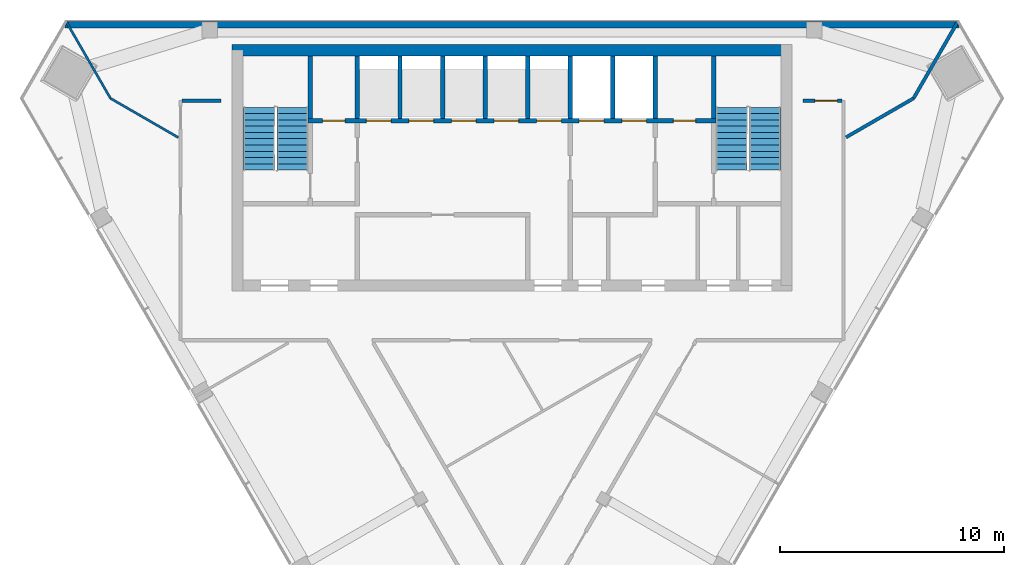
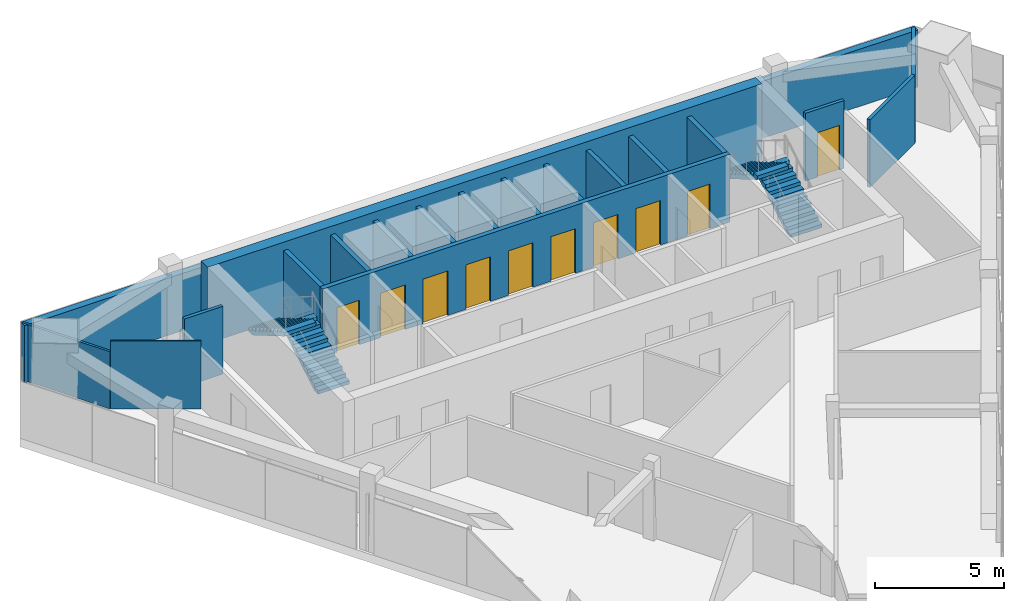
# One storey, part 7 of 9: 19 walls, 10 doors, 4 stair flights, 10 openings, 2 elements without a shape of their own.
"""IFC4 building model written with IfcOpenShell, lengths in metres."""

import ifcopenshell
import ifcopenshell.guid

model = None  # the IFC model being written
_history = None  # IfcOwnerHistory: only IFC2X3 demands one
_inside = {}  # id of a spatial element -> (the spatial element, [elements in it])
_under = {}  # id of a project, library or spatial element -> (it, [spatial elements below it])
_declared = {}  # id of a project -> (the project, [libraries it declares])
_typed = {}  # id of a type object -> (the type object, [elements of that type])
_made_of = {}  # id of a material, layer set ... -> (it, [elements and type objects made of it])


def new_model(schema):
    """Start an empty IFC model of exactly this schema.

    Asked for "IFC4X3", IfcOpenShell would pick the latest addendum, in which some entities
    have other attributes; the version numbers below select the first issue.
    IFC2X3 requires an IfcOwnerHistory on every rooted entity: one is made here for all.
    """
    global model, _history
    if schema == "IFC4X3":
        model = ifcopenshell.file(schema_version=(4, 3, 0, 0))
    else:
        model = ifcopenshell.file(schema=schema)
    _inside.clear()
    _under.clear()
    _declared.clear()
    _typed.clear()
    _made_of.clear()
    _history = None
    if model.schema == "IFC2X3":
        org = make("IfcOrganization", Name="unknown")
        user = make(
            "IfcPersonAndOrganization",
            ThePerson=make("IfcPerson", FamilyName="unknown"),
            TheOrganization=org,
        )
        app = make(
            "IfcApplication",
            ApplicationDeveloper=org,
            Version="unknown",
            ApplicationFullName="unknown",
            ApplicationIdentifier="unknown",
        )
        _history = make(
            "IfcOwnerHistory",
            OwningUser=user,
            OwningApplication=app,
            ChangeAction="ADDED",
            CreationDate=0,
        )
    return model


def make(cls, **values):
    """One entity of the class cls with the attributes given. An attribute that is None is left unset."""
    return model.create_entity(
        cls, **{name: value for name, value in values.items() if value is not None}
    )


def rooted(cls, **values):
    """An entity with a GlobalId (a new one), such as an element, a storey or a relation."""
    return make(cls, GlobalId=ifcopenshell.guid.new(), OwnerHistory=_history, **values)


def si_unit(unit_type, name, prefix=None):
    """IfcSIUnit, for example si_unit("LENGTHUNIT", "METRE", prefix="MILLI")."""
    return make("IfcSIUnit", UnitType=unit_type, Prefix=prefix, Name=name)


def assignment(units):
    """IfcUnitAssignment: the units of a project."""
    return None if units is None else make("IfcUnitAssignment", Units=units)


def point(xyz):
    """IfcCartesianPoint."""
    return None if xyz is None else make("IfcCartesianPoint", Coordinates=xyz)


def direction(xyz):
    """IfcDirection."""
    return None if xyz is None else make("IfcDirection", DirectionRatios=xyz)


def frame(location, z_axis=None, x_axis=None):
    """IfcAxis2Placement3D, a coordinate frame: its origin and axes. An axis left out is left unset."""
    return make(
        "IfcAxis2Placement3D",
        Location=point(location),
        Axis=direction(z_axis),
        RefDirection=direction(x_axis),
    )


def frame_2d(location, x_axis=None):
    """IfcAxis2Placement2D, a coordinate frame in the plane: its origin and x axis."""
    return make(
        "IfcAxis2Placement2D", Location=point(location), RefDirection=direction(x_axis)
    )


def origin():
    """The frame at (0, 0, 0) with its axes left unset."""
    return frame((0.0, 0.0, 0.0))


def place(relative_to, where):
    """IfcLocalPlacement: puts the frame where relative to a parent placement (None: the world)."""
    return make(
        "IfcLocalPlacement", PlacementRelTo=relative_to, RelativePlacement=where
    )


def context(
    kind, dimensions, precision=None, world=None, true_north=None, identifier=None
):
    """IfcGeometricRepresentationContext, for example the 3D "Model" context."""
    return make(
        "IfcGeometricRepresentationContext",
        ContextIdentifier=identifier,
        ContextType=kind,
        CoordinateSpaceDimension=dimensions,
        Precision=precision,
        WorldCoordinateSystem=world,
        TrueNorth=true_north,
    )


def subcontext(parent, identifier, kind, view, scale=None):
    """IfcGeometricRepresentationSubContext, for example "Body" below "Model"."""
    return make(
        "IfcGeometricRepresentationSubContext",
        ContextIdentifier=identifier,
        ContextType=kind,
        ParentContext=parent,
        TargetScale=scale,
        TargetView=view,
    )


def project(units=None, contexts=None):
    """IfcProject with its units and contexts."""
    return rooted(
        "IfcProject",
        Name="project",
        RepresentationContexts=contexts,
        UnitsInContext=assignment(units),
    )


def spatial(cls, under=None, at=None, **own):
    """A site, building, storey or space (cls), placed at a placement, below another one or the project."""
    s = rooted(cls, ObjectPlacement=at, **own)
    if under is not None:
        _under.setdefault(under.id(), (under, []))[1].append(s)
    return s


def polyline(points):
    """IfcPolyline through the points."""
    return make("IfcPolyline", Points=[point(p) for p in points])


def profile(cls, at=None, kind="AREA", **sizes):
    """A parametric profile (cls). Its sizes go by their IFC names, for example OverallWidth=200.0."""
    return make(cls, ProfileType=kind, Position=at, **sizes)


def rectangle(**sizes):
    """IfcRectangleProfileDef."""
    return profile("IfcRectangleProfileDef", **sizes)


def outline(outer, holes=None, kind="AREA"):
    """IfcArbitraryClosedProfileDef: a profile drawn as a closed curve; with holes, ...WithVoids."""
    if holes is None:
        return make("IfcArbitraryClosedProfileDef", ProfileType=kind, OuterCurve=outer)
    return make(
        "IfcArbitraryProfileDefWithVoids",
        ProfileType=kind,
        OuterCurve=outer,
        InnerCurves=holes,
    )


def extrude(swept, where, along, depth):
    """IfcExtrudedAreaSolid: the profile swept, set in the frame where, extruded along a direction by depth."""
    return make(
        "IfcExtrudedAreaSolid",
        SweptArea=swept,
        Position=where,
        ExtrudedDirection=direction(along),
        Depth=depth,
    )


def shape(context_of_items, identifier, shape_type, items):
    """IfcShapeRepresentation: the items that make up one representation, for example the "Body"."""
    return make(
        "IfcShapeRepresentation",
        ContextOfItems=context_of_items,
        RepresentationIdentifier=identifier,
        RepresentationType=shape_type,
        Items=items,
    )


def material(Name=None, Category=None):
    """IfcMaterial."""
    return make("IfcMaterial", Name=Name, Category=Category)


def layer(
    of_material, thickness, ventilated=None, Name=None, Category=None, Priority=None
):
    """IfcMaterialLayer: one layer of a wall or slab, of a material (None: an air gap)."""
    return make(
        "IfcMaterialLayer",
        Material=of_material,
        LayerThickness=thickness,
        IsVentilated=ventilated,
        Name=Name,
        Category=Category,
        Priority=Priority,
    )


def layer_set(layers, Name=None):
    """IfcMaterialLayerSet."""
    return make("IfcMaterialLayerSet", MaterialLayers=layers, LayerSetName=Name)


def made_of(thing, what):
    """Note that an element or type object is made of a material, layer set ...; save() writes the relation."""
    if what is not None:
        _made_of.setdefault(what.id(), (what, []))[1].append(thing)
    return thing


def type_object(cls, material=None, **own):
    """A type object (cls), such as IfcWallType, which elements share."""
    return made_of(rooted(cls, **own), material)


def element(
    cls,
    number,
    at=None,
    inside=None,
    cuts=None,
    type_object=None,
    material=None,
    context=None,
    identifier="Body",
    shape_type=None,
    held_by="IfcProductDefinitionShape",
    body=None,
    shapes=None,
    **own,
):
    """One element of the class cls, such as IfcWall. Its Tag is "e" and its number.

    at: its placement. inside: the storey or other place that contains it. cuts: it is an
    opening in that element (IfcRelVoidsElement). A single representation is given by context,
    identifier, shape_type and body (its items); several are given by shapes. held_by: the class
    of the entity that holds the representations. save() writes the other relations.
    """
    e = rooted(cls, Tag="e%d" % number, ObjectPlacement=at, **own)
    if body is not None:
        shapes = [shape(context, identifier, shape_type, body)]
    if shapes is not None:
        e.Representation = make(held_by, Representations=shapes)
    if inside is not None:
        _inside.setdefault(inside.id(), (inside, []))[1].append(e)
    if cuts is not None:
        rooted(
            "IfcRelVoidsElement", RelatingBuildingElement=cuts, RelatedOpeningElement=e
        )
    if type_object is not None:
        _typed.setdefault(type_object.id(), (type_object, []))[1].append(e)
    return made_of(e, material)


def fill(opening, filler):
    """IfcRelFillsElement: the door or window that sits in an opening."""
    return rooted(
        "IfcRelFillsElement",
        RelatingOpeningElement=opening,
        RelatedBuildingElement=filler,
    )


def aggregate(whole, parts):
    """IfcRelAggregates: a whole, such as a stair, and the parts it consists of."""
    return rooted("IfcRelAggregates", RelatingObject=whole, RelatedObjects=parts)


def save(model, path):
    """Write the relations noted so far, then the file.

    IfcRelAggregates (storeys below a building ...), IfcRelContainedInSpatialStructure (elements
    in a storey), IfcRelDefinesByType, IfcRelAssociatesMaterial and IfcRelDeclares: one each for
    every whole, place, type object, material and project.
    """
    for whole, parts in _under.values():
        aggregate(whole, parts)
    for where, things in _inside.values():
        rooted(
            "IfcRelContainedInSpatialStructure",
            RelatedElements=things,
            RelatingStructure=where,
        )
    for kind, things in _typed.values():
        rooted("IfcRelDefinesByType", RelatedObjects=things, RelatingType=kind)
    for what, things in _made_of.values():
        rooted("IfcRelAssociatesMaterial", RelatedObjects=things, RelatingMaterial=what)
    for by, libraries in _declared.values():
        rooted("IfcRelDeclares", RelatingContext=by, RelatedDefinitions=libraries)
    model.write(path)


model = new_model("IFC4")

# Units and contexts
model_context = context("Model", 3, precision=1e-05, world=origin(), true_north=direction((0.0, 1.0)))
body_context = subcontext(model_context, "Body", "Model", "MODEL_VIEW")
ifc_project = project(units=[si_unit("LENGTHUNIT", "METRE"), si_unit("AREAUNIT", "SQUARE_METRE"), si_unit("VOLUMEUNIT", "CUBIC_METRE"), si_unit("PLANEANGLEUNIT", "RADIAN"), si_unit("MASSUNIT", "GRAM", prefix="KILO")], contexts=[model_context])

# Site, building, storey
site_placement = place(None, origin())
site = spatial("IfcSite", under=ifc_project, at=site_placement, CompositionType="ELEMENT")
building_placement = place(site_placement, origin())
building = spatial("IfcBuilding", under=site, at=building_placement, Name="Altiplano Prism Tower", CompositionType="ELEMENT")
storey_placement = place(building_placement, frame((0.0, 0.0, 305.800048828125)))
storey = spatial("IfcBuildingStorey", under=building, at=storey_placement, Name="L79", CompositionType="ELEMENT", Elevation=305.800048828125)

# Walls
ifc_material_1 = material(Name="Concrete C60/75", Category="concrete")
ifc_layer_1 = layer(ifc_material_1, 0.5)
ifc_layer_set_1 = layer_set([ifc_layer_1], Name="Concrete C60/75")
wall_type_1 = type_object("IfcWallType", Name="Core wall 500", PredefinedType="SHEAR", material=ifc_layer_set_1)
wall_1_placement = place(storey_placement, frame((97.25, 103.64990234375, 0.0), z_axis=(0.0, 0.0, 1.0), x_axis=(-1.0, 0.0, 0.0)))
element("IfcWall", 1, at=wall_1_placement, inside=storey, type_object=wall_type_1, Name="Core wall N L79", PredefinedType="SHEAR", context=body_context, shape_type="SweptSolid", body=[
    extrude(rectangle(XDim=24.75, YDim=0.5, at=frame_2d((12.375, 0.0))), origin(), (0.0, 0.0, 1.0), 3.599853515625),
])
ifc_material_2 = material(Name="Plasterboard on steel stud", Category="steel")
ifc_layer_2 = layer(ifc_material_2, 0.10009765625)
ifc_layer_set_2 = layer_set([ifc_layer_2], Name="Plasterboard on steel stud")
wall_type_2 = type_object("IfcWallType", Name="Partition 100 wet", PredefinedType="PARTITIONING", material=ifc_layer_set_2)
wall_2_placement = place(storey_placement, frame((70.10009765625, 99.755615234375, 0.0), z_axis=(0.0, 0.0, 1.0), x_axis=(-0.866036597273, 0.499980611808, 0.0)))
element("IfcWall", 2, at=wall_2_placement, inside=storey, type_object=wall_type_2, Name="Partition P03 L79 015", PredefinedType="PARTITIONING", context=body_context, shape_type="SweptSolid", body=[
    extrude(rectangle(XDim=3.492919921875, YDim=0.10009765625, at=frame_2d((1.74658203125, 0.0))), origin(), (0.0, 0.0, 1.0), 3.199951171875),
])
wall_3_placement = place(storey_placement, frame((67.0751953125, 101.501953125, 0.0), z_axis=(0.0, 0.0, 1.0), x_axis=(-0.500020484464, 0.866013576751, 0.0)))
element("IfcWall", 3, at=wall_3_placement, inside=storey, type_object=wall_type_2, Name="Partition P03 L79 016", PredefinedType="PARTITIONING", context=body_context, shape_type="SweptSolid", body=[
    extrude(rectangle(XDim=3.923583984375, YDim=0.10009765625, at=frame_2d((1.9619140625, 0.0))), origin(), (0.0, 0.0, 1.0), 2.699951171875),
])

# Wall, opening, door
ifc_layer_3 = layer(ifc_material_2, 0.14990234375)
ifc_layer_set_3 = layer_set([ifc_layer_3], Name="Plasterboard on steel stud")
wall_type_3 = type_object("IfcWallType", Name="Partition 150 corridor", PredefinedType="PARTITIONING", material=ifc_layer_set_3)
wall_4_placement = place(storey_placement, frame((99.72509765625, 101.39990234375, 0.0), z_axis=(0.0, 0.0, 1.0), x_axis=(-1.0, 0.0, 0.0)))
wall_4 = element("IfcWall", 4, at=wall_4_placement, inside=storey, type_object=wall_type_3, Name="Partition P06 L79 010", PredefinedType="PARTITIONING", context=body_context, shape_type="SweptSolid", body=[
    extrude(rectangle(XDim=1.72509765625, YDim=0.14990234375, at=frame_2d((0.862548828125, 0.0))), origin(), (0.0, 0.0, 1.0), 3.199951171875),
])
opening_1_placement = place(wall_4_placement, frame((0.199951171875, 0.0, 0.0)))
opening_1 = element("IfcOpeningElement", 5, at=opening_1_placement, cuts=wall_4, Name="Opening D2378", PredefinedType="OPENING", context=body_context, shape_type="SweptSolid", body=[
    extrude(rectangle(XDim=1.0, YDim=2.10009765625, at=frame_2d((0.5, 1.050048828125))), frame((0.0, 0.08544921875, 0.0), z_axis=(0.0, -1.0, 0.0), x_axis=(1.0, 0.0, 0.0)), (0.0, 0.0, 1.0), 0.1708984375),
])
ifc_material_3 = material(Name="Timber", Category="wood")
door_type_1 = type_object("IfcDoorType", Name="Store door 1000 x 2100", OperationType="NOTDEFINED", PredefinedType="NOTDEFINED", material=ifc_material_3)
door_1_placement = place(opening_1_placement, origin())
door_1 = element("IfcDoor", 6, at=door_1_placement, inside=storey, type_object=door_type_1, Name="Door D2378", OperationType="SINGLE_SWING_LEFT", OverallHeight=2.10009765625, OverallWidth=1.0, PredefinedType="NOTDEFINED", context=body_context, shape_type="SweptSolid", body=[
    extrude(rectangle(XDim=1.0, YDim=2.10009765625, at=frame_2d((0.5, 1.050048828125))), frame((0.0, 0.02490234375, 0.0), z_axis=(0.0, -1.0, 0.0), x_axis=(1.0, 0.0, 0.0)), (0.0, 0.0, 1.0), 0.050048828125),
])
fill(opening_1, door_1)

# Walls
wall_5_placement = place(storey_placement, frame((72.0, 101.39990234375, 0.0), z_axis=(0.0, 0.0, 1.0), x_axis=(-1.0, 0.0, 0.0)))
element("IfcWall", 7, at=wall_5_placement, inside=storey, type_object=wall_type_3, Name="Partition P06 L79 011", PredefinedType="PARTITIONING", context=body_context, shape_type="SweptSolid", body=[
    extrude(rectangle(XDim=1.72509765625, YDim=0.14990234375, at=frame_2d((0.862548828125, 0.0))), origin(), (0.0, 0.0, 1.0), 3.199951171875),
])
ifc_layer_4 = layer(ifc_material_2, 0.14990234375)
ifc_layer_set_4 = layer_set([ifc_layer_4], Name="Plasterboard on steel stud")
wall_type_4 = type_object("IfcWallType", Name="Partition 150 party", PredefinedType="PARTITIONING", material=ifc_layer_set_4)
wall_6_placement = place(storey_placement, frame((104.88671875, 104.89990234375, 0.0), z_axis=(0.0, 0.0, 1.0), x_axis=(-0.500020484464, -0.866013576751, 0.0)))
element("IfcWall", 8, at=wall_6_placement, inside=storey, type_object=wall_type_4, Name="Partition P01 L79 021", PredefinedType="PARTITIONING", context=body_context, shape_type="SweptSolid", body=[
    extrude(rectangle(XDim=3.923583984375, YDim=0.14990234375, at=frame_2d((1.9619140625, 0.0))), origin(), (0.0, 0.0, 1.0), 2.699951171875),
])
wall_7_placement = place(storey_placement, frame((102.9248046875, 101.501953125, 0.0), z_axis=(0.0, 0.0, 1.0), x_axis=(-0.86600557522, -0.500034342508, 0.0)))
element("IfcWall", 9, at=wall_7_placement, inside=storey, type_object=wall_type_4, Name="Partition P01 L79 022", PredefinedType="PARTITIONING", context=body_context, shape_type="SweptSolid", body=[
    extrude(rectangle(XDim=3.478271484375, YDim=0.14990234375, at=frame_2d((1.7392578125, 0.0))), origin(), (0.0, 0.0, 1.0), 3.199951171875),
])
ifc_layer_5 = layer(ifc_material_1, 0.199951171875)
ifc_layer_set_5 = layer_set([ifc_layer_5], Name="Concrete C60/75")
wall_type_5 = type_object("IfcWallType", Name="Shaft wall 200", PredefinedType="SOLIDWALL", material=ifc_layer_set_5)
for number, where, z_axis, x_axis, name in (
    (10, (78.10009765625, 100.60009765625, 0.0), (0.0, 0.0, 1.0), (0.0, 1.0, 0.0), "Shaft wall L79"),
    (11, (80.0, 100.60009765625, 0.0), (0.0, 0.0, 1.0), (0.0, 1.0, 0.0), "Shaft wall L79"),
    (12, (81.89990234375, 100.60009765625, 0.0), (0.0, 0.0, 1.0), (0.0, 1.0, 0.0), "Shaft wall L79"),
    (13, (83.800048828125, 100.60009765625, 0.0), (0.0, 0.0, 1.0), (0.0, 1.0, 0.0), "Shaft wall L79"),
    (14, (85.699951171875, 100.60009765625, 0.0), (0.0, 0.0, 1.0), (0.0, 1.0, 0.0), "Shaft wall L79"),
    (15, (87.60009765625, 100.60009765625, 0.0), (0.0, 0.0, 1.0), (0.0, 1.0, 0.0), "Shaft wall L79"),
    (16, (89.5, 100.60009765625, 0.0), (0.0, 0.0, 1.0), (0.0, 1.0, 0.0), "Shaft wall L79"),
    (17, (91.39990234375, 100.60009765625, 0.0), (0.0, 0.0, 1.0), (0.0, 1.0, 0.0), "Shaft wall L79"),
):
    element("IfcWall", number, at=place(storey_placement, frame(where, z_axis=z_axis, x_axis=x_axis)), inside=storey, type_object=wall_type_5, Name=name, PredefinedType="SOLIDWALL", context=body_context, shape_type="SweptSolid", body=[
        extrude(rectangle(XDim=2.7998046875, YDim=0.199951171875, at=frame_2d((1.39990234375, 0.0))), origin(), (0.0, 0.0, 1.0), 3.199951171875),
    ])

# Wall, openings, doors
ifc_layer_6 = layer(ifc_material_1, 0.199951171875)
ifc_layer_set_6 = layer_set([ifc_layer_6], Name="Concrete C60/75")
wall_type_6 = type_object("IfcWallType", Name="Stair wall 200", PredefinedType="SOLIDWALL", material=ifc_layer_set_6)
wall_8_placement = place(storey_placement, frame((75.89990234375, 100.5, 0.0), z_axis=(0.0, 0.0, 1.0), x_axis=(1.0, 0.0, 0.0)))
wall_8 = element("IfcWall", 18, at=wall_8_placement, inside=storey, type_object=wall_type_6, Name="Stair wall L79", PredefinedType="SOLIDWALL", context=body_context, shape_type="SweptSolid", body=[
    extrude(rectangle(XDim=18.2001953125, YDim=0.199951171875, at=frame_2d((9.10009765625, 0.0))), origin(), (0.0, 0.0, 1.0), 3.199951171875),
])
opening_2_placement = place(wall_8_placement, frame((2.60009765625, 0.0, 0.0)))
opening_2 = element("IfcOpeningElement", 19, at=opening_2_placement, cuts=wall_8, Name="Opening LD-HL1-L79", PredefinedType="OPENING", context=body_context, shape_type="SweptSolid", body=[
    extrude(rectangle(XDim=1.10009765625, YDim=2.10009765625, at=frame_2d((0.550048828125, 1.050048828125))), frame((0.0, 0.1103515625, 0.0), z_axis=(0.0, -1.0, 0.0), x_axis=(1.0, 0.0, 0.0)), (0.0, 0.0, 1.0), 0.220947265625),
])
opening_3_placement = place(wall_8_placement, frame((4.5, 0.0, 0.0)))
opening_3 = element("IfcOpeningElement", 20, at=opening_3_placement, cuts=wall_8, Name="Opening LD-HL2-L79", PredefinedType="OPENING", context=body_context, shape_type="SweptSolid", body=[
    extrude(rectangle(XDim=1.10009765625, YDim=2.10009765625, at=frame_2d((0.550048828125, 1.050048828125))), frame((0.0, 0.1103515625, 0.0), z_axis=(0.0, -1.0, 0.0), x_axis=(1.0, 0.0, 0.0)), (0.0, 0.0, 1.0), 0.220947265625),
])
opening_4_placement = place(wall_8_placement, frame((6.39990234375, 0.0, 0.0)))
opening_4 = element("IfcOpeningElement", 21, at=opening_4_placement, cuts=wall_8, Name="Opening LD-HL3-L79", PredefinedType="OPENING", context=body_context, shape_type="SweptSolid", body=[
    extrude(rectangle(XDim=1.10009765625, YDim=2.10009765625, at=frame_2d((0.550048828125, 1.050048828125))), frame((0.0, 0.1103515625, 0.0), z_axis=(0.0, -1.0, 0.0), x_axis=(1.0, 0.0, 0.0)), (0.0, 0.0, 1.0), 0.220947265625),
])
opening_5_placement = place(wall_8_placement, frame((8.300048828125, 0.0, 0.0)))
opening_5 = element("IfcOpeningElement", 22, at=opening_5_placement, cuts=wall_8, Name="Opening LD-HL4-L79", PredefinedType="OPENING", context=body_context, shape_type="SweptSolid", body=[
    extrude(rectangle(XDim=1.10009765625, YDim=2.10009765625, at=frame_2d((0.550048828125, 1.050048828125))), frame((0.0, 0.1103515625, 0.0), z_axis=(0.0, -1.0, 0.0), x_axis=(1.0, 0.0, 0.0)), (0.0, 0.0, 1.0), 0.220947265625),
])
opening_6_placement = place(wall_8_placement, frame((10.199951171875, 0.0, 0.0)))
opening_6 = element("IfcOpeningElement", 23, at=opening_6_placement, cuts=wall_8, Name="Opening LD-HL5-L79", PredefinedType="OPENING", context=body_context, shape_type="SweptSolid", body=[
    extrude(rectangle(XDim=1.10009765625, YDim=2.10009765625, at=frame_2d((0.550048828125, 1.050048828125))), frame((0.0, 0.1103515625, 0.0), z_axis=(0.0, -1.0, 0.0), x_axis=(1.0, 0.0, 0.0)), (0.0, 0.0, 1.0), 0.220947265625),
])
opening_7_placement = place(wall_8_placement, frame((12.10009765625, 0.0, 0.0)))
opening_7 = element("IfcOpeningElement", 24, at=opening_7_placement, cuts=wall_8, Name="Opening LD-FF1-L79", PredefinedType="OPENING", context=body_context, shape_type="SweptSolid", body=[
    extrude(rectangle(XDim=1.10009765625, YDim=2.10009765625, at=frame_2d((0.550048828125, 1.050048828125))), frame((0.0, 0.1103515625, 0.0), z_axis=(0.0, -1.0, 0.0), x_axis=(1.0, 0.0, 0.0)), (0.0, 0.0, 1.0), 0.220947265625),
])
opening_8_placement = place(wall_8_placement, frame((14.0, 0.0, 0.0)))
opening_8 = element("IfcOpeningElement", 25, at=opening_8_placement, cuts=wall_8, Name="Opening LD-FF2-L79", PredefinedType="OPENING", context=body_context, shape_type="SweptSolid", body=[
    extrude(rectangle(XDim=1.10009765625, YDim=2.10009765625, at=frame_2d((0.550048828125, 1.050048828125))), frame((0.0, 0.1103515625, 0.0), z_axis=(0.0, -1.0, 0.0), x_axis=(1.0, 0.0, 0.0)), (0.0, 0.0, 1.0), 0.220947265625),
])
opening_9_placement = place(wall_8_placement, frame((0.64990234375, 0.0, 0.0)))
opening_9 = element("IfcOpeningElement", 26, at=opening_9_placement, cuts=wall_8, Name="Opening D3701", PredefinedType="OPENING", context=body_context, shape_type="SweptSolid", body=[
    extrude(rectangle(XDim=1.0, YDim=2.10009765625, at=frame_2d((0.5, 1.050048828125))), frame((0.0, 0.1103515625, 0.0), z_axis=(0.0, -1.0, 0.0), x_axis=(1.0, 0.0, 0.0)), (0.0, 0.0, 1.0), 0.220947265625),
])
opening_10_placement = place(wall_8_placement, frame((16.300048828125, 0.0, 0.0)))
opening_10 = element("IfcOpeningElement", 27, at=opening_10_placement, cuts=wall_8, Name="Opening D3702", PredefinedType="OPENING", context=body_context, shape_type="SweptSolid", body=[
    extrude(rectangle(XDim=1.0, YDim=2.10009765625, at=frame_2d((0.5, 1.050048828125))), frame((0.0, 0.1103515625, 0.0), z_axis=(0.0, -1.0, 0.0), x_axis=(1.0, 0.0, 0.0)), (0.0, 0.0, 1.0), 0.220947265625),
])
ifc_material_4 = material(Name="Fire-rated steel door", Category="steel")
door_type_2 = type_object("IfcDoorType", Name="Core room door 1000 x 2100", OperationType="NOTDEFINED", PredefinedType="NOTDEFINED", material=ifc_material_4)
door_2_placement = place(opening_9_placement, origin())
door_2 = element("IfcDoor", 28, at=door_2_placement, inside=storey, type_object=door_type_2, Name="Core room door D3701", OperationType="SINGLE_SWING_LEFT", OverallHeight=2.10009765625, OverallWidth=1.0, PredefinedType="NOTDEFINED", context=body_context, shape_type="SweptSolid", body=[
    extrude(rectangle(XDim=1.0, YDim=2.10009765625, at=frame_2d((0.5, 1.050048828125))), frame((0.0, 0.02490234375, 0.0), z_axis=(0.0, -1.0, 0.0), x_axis=(1.0, 0.0, 0.0)), (0.0, 0.0, 1.0), 0.050048828125),
])
fill(opening_9, door_2)
door_3_placement = place(opening_10_placement, origin())
door_3 = element("IfcDoor", 29, at=door_3_placement, inside=storey, type_object=door_type_2, Name="Core room door D3702", OperationType="SINGLE_SWING_RIGHT", OverallHeight=2.10009765625, OverallWidth=1.0, PredefinedType="NOTDEFINED", context=body_context, shape_type="SweptSolid", body=[
    extrude(rectangle(XDim=1.0, YDim=2.10009765625, at=frame_2d((0.5, 1.050048828125))), frame((0.0, 0.02490234375, 0.0), z_axis=(0.0, -1.0, 0.0), x_axis=(1.0, 0.0, 0.0)), (0.0, 0.0, 1.0), 0.050048828125),
])
fill(opening_10, door_3)
ifc_material_5 = material(Name="Stainless steel landing door", Category="steel")
door_type_3 = type_object("IfcDoorType", Name="Landing door 1100 x 2100", OperationType="NOTDEFINED", PredefinedType="NOTDEFINED", material=ifc_material_5)
door_4_placement = place(opening_2_placement, origin())
door_4 = element("IfcDoor", 30, at=door_4_placement, inside=storey, type_object=door_type_3, Name="Landing doors HL1", OperationType="SLIDING_TO_RIGHT", OverallHeight=2.10009765625, OverallWidth=1.10009765625, PredefinedType="NOTDEFINED", context=body_context, shape_type="SweptSolid", body=[
    extrude(rectangle(XDim=1.10009765625, YDim=2.10009765625, at=frame_2d((0.550048828125, 1.050048828125))), frame((0.0, 0.02490234375, 0.0), z_axis=(0.0, -1.0, 0.0), x_axis=(1.0, 0.0, 0.0)), (0.0, 0.0, 1.0), 0.050048828125),
])
fill(opening_2, door_4)
door_5_placement = place(opening_3_placement, origin())
door_5 = element("IfcDoor", 31, at=door_5_placement, inside=storey, type_object=door_type_3, Name="Landing doors HL2", OperationType="SLIDING_TO_LEFT", OverallHeight=2.10009765625, OverallWidth=1.10009765625, PredefinedType="NOTDEFINED", context=body_context, shape_type="SweptSolid", body=[
    extrude(rectangle(XDim=1.10009765625, YDim=2.10009765625, at=frame_2d((0.550048828125, 1.050048828125))), frame((0.0, 0.02490234375, 0.0), z_axis=(0.0, -1.0, 0.0), x_axis=(1.0, 0.0, 0.0)), (0.0, 0.0, 1.0), 0.050048828125),
])
fill(opening_3, door_5)
door_6_placement = place(opening_4_placement, origin())
door_6 = element("IfcDoor", 32, at=door_6_placement, inside=storey, type_object=door_type_3, Name="Landing doors HL3", OperationType="SLIDING_TO_RIGHT", OverallHeight=2.10009765625, OverallWidth=1.10009765625, PredefinedType="NOTDEFINED", context=body_context, shape_type="SweptSolid", body=[
    extrude(rectangle(XDim=1.10009765625, YDim=2.10009765625, at=frame_2d((0.550048828125, 1.050048828125))), frame((0.0, 0.02490234375, 0.0), z_axis=(0.0, -1.0, 0.0), x_axis=(1.0, 0.0, 0.0)), (0.0, 0.0, 1.0), 0.050048828125),
])
fill(opening_4, door_6)
door_7_placement = place(opening_5_placement, origin())
door_7 = element("IfcDoor", 33, at=door_7_placement, inside=storey, type_object=door_type_3, Name="Landing doors HL4", OperationType="SLIDING_TO_LEFT", OverallHeight=2.10009765625, OverallWidth=1.10009765625, PredefinedType="NOTDEFINED", context=body_context, shape_type="SweptSolid", body=[
    extrude(rectangle(XDim=1.10009765625, YDim=2.10009765625, at=frame_2d((0.550048828125, 1.050048828125))), frame((0.0, 0.02490234375, 0.0), z_axis=(0.0, -1.0, 0.0), x_axis=(1.0, 0.0, 0.0)), (0.0, 0.0, 1.0), 0.050048828125),
])
fill(opening_5, door_7)
door_8_placement = place(opening_6_placement, origin())
door_8 = element("IfcDoor", 34, at=door_8_placement, inside=storey, type_object=door_type_3, Name="Landing doors HL5", OperationType="SLIDING_TO_RIGHT", OverallHeight=2.10009765625, OverallWidth=1.10009765625, PredefinedType="NOTDEFINED", context=body_context, shape_type="SweptSolid", body=[
    extrude(rectangle(XDim=1.10009765625, YDim=2.10009765625, at=frame_2d((0.550048828125, 1.050048828125))), frame((0.0, 0.02490234375, 0.0), z_axis=(0.0, -1.0, 0.0), x_axis=(1.0, 0.0, 0.0)), (0.0, 0.0, 1.0), 0.050048828125),
])
fill(opening_6, door_8)
door_9_placement = place(opening_7_placement, origin())
door_9 = element("IfcDoor", 35, at=door_9_placement, inside=storey, type_object=door_type_3, Name="Landing doors FF1", OperationType="SLIDING_TO_RIGHT", OverallHeight=2.10009765625, OverallWidth=1.10009765625, PredefinedType="NOTDEFINED", context=body_context, shape_type="SweptSolid", body=[
    extrude(rectangle(XDim=1.10009765625, YDim=2.10009765625, at=frame_2d((0.550048828125, 1.050048828125))), frame((0.0, 0.02490234375, 0.0), z_axis=(0.0, -1.0, 0.0), x_axis=(1.0, 0.0, 0.0)), (0.0, 0.0, 1.0), 0.050048828125),
])
fill(opening_7, door_9)
door_10_placement = place(opening_8_placement, origin())
door_10 = element("IfcDoor", 36, at=door_10_placement, inside=storey, type_object=door_type_3, Name="Landing doors FF2", OperationType="SLIDING_TO_LEFT", OverallHeight=2.10009765625, OverallWidth=1.10009765625, PredefinedType="NOTDEFINED", context=body_context, shape_type="SweptSolid", body=[
    extrude(rectangle(XDim=1.10009765625, YDim=2.10009765625, at=frame_2d((0.550048828125, 1.050048828125))), frame((0.0, 0.02490234375, 0.0), z_axis=(0.0, -1.0, 0.0), x_axis=(1.0, 0.0, 0.0)), (0.0, 0.0, 1.0), 0.050048828125),
])
fill(opening_8, door_10)

# Walls
for number, where, z_axis, x_axis, name in (
    (37, (76.0, 100.60009765625, 0.0), (0.0, 0.0, 1.0), (0.0, 1.0, 0.0), "Stair wall L79"),
    (38, (94.0, 100.60009765625, 0.0), (0.0, 0.0, 1.0), (0.0, 1.0, 0.0), "Stair wall L79"),
):
    element("IfcWall", number, at=place(storey_placement, frame(where, z_axis=z_axis, x_axis=x_axis)), inside=storey, type_object=wall_type_6, Name=name, PredefinedType="SOLIDWALL", context=body_context, shape_type="SweptSolid", body=[
        extrude(rectangle(XDim=2.7998046875, YDim=0.199951171875, at=frame_2d((1.39990234375, 0.0))), origin(), (0.0, 0.0, 1.0), 3.199951171875),
    ])
ifc_material_6 = material(Name="Concrete C40", Category="concrete")
ifc_layer_7 = layer(ifc_material_6, 0.300048828125)
ifc_layer_set_7 = layer_set([ifc_layer_7], Name="Concrete C40")
wall_type_7 = type_object("IfcWallType", Name="Stone-clad external wall 300", PredefinedType="SOLIDWALL", material=ifc_layer_set_7)
wall_9_placement = place(storey_placement, frame((65.055419921875, 104.7900390625, 0.0), z_axis=(0.0, 0.0, 1.0), x_axis=(1.0, 0.0, 0.0)))
element("IfcWall", 39, at=wall_9_placement, inside=storey, type_object=wall_type_7, Name="External wall north face L79", PredefinedType="SOLIDWALL", context=body_context, shape_type="SweptSolid", body=[
    extrude(rectangle(XDim=39.88916015625, YDim=0.300048828125, at=frame_2d((19.944580078125, 0.0))), origin(), (0.0, 0.0, 1.0), 2.699951171875),
])

# Stair, stair flights
ifc_material_7 = material(Name="Concrete C40/50", Category="concrete")
stair_type = type_object("IfcStairType", Name="Exit stair 1400", PredefinedType="HALF_TURN_STAIR", material=ifc_material_7)
stair_1_placement = place(storey_placement, origin())
stair_1 = element("IfcStair", 40, at=stair_1_placement, inside=storey, type_object=stair_type, Name="L79 Exit Stair 1", PredefinedType="HALF_TURN_STAIR")
stair_flight_type = type_object("IfcStairFlightType", Name="Stair flight concrete 150", PredefinedType="STRAIGHT", material=ifc_material_7)
stair_flight_1_placement = place(storey_placement, frame((75.199951171875, 98.300048828125, 0.0), z_axis=(0.0, 0.0, 1.0), x_axis=(0.0, 1.0, 0.0)))
stair_flight_1 = element("IfcStairFlight", 41, at=stair_flight_1_placement, type_object=stair_flight_type, Name="ST1 flight 1", NumberOfRisers=11, NumberOfTreads=10, PredefinedType="STRAIGHT", RiserHeight=0.163636364, TreadLength=0.28, context=body_context, shape_type="SweptSolid", body=[
    extrude(outline(polyline([(0.0, 0.0), (0.0, 0.16357421875), (0.280029296875, 0.16357421875), (0.280029296875, 0.327392578125), (0.56005859375, 0.327392578125), (0.56005859375, 0.490966796875), (0.840087890625, 0.490966796875), (0.840087890625, 0.654541015625), (1.1201171875, 0.654541015625), (1.1201171875, 0.818115234375), (1.39990234375, 0.818115234375), (1.39990234375, 0.98193359375), (1.679931640625, 0.98193359375), (1.679931640625, 1.1455078125), (1.9599609375, 1.1455078125), (1.9599609375, 1.30908203125), (2.239990234375, 1.30908203125), (2.239990234375, 1.47265625), (2.52001953125, 1.47265625), (2.52001953125, 1.636474609375), (2.800048828125, 1.636474609375), (2.800048828125, 1.800048828125), (2.800048828125, 1.462646484375), (0.297119140625, 0.0), (0.0, 0.0)])), frame((0.0, 0.699951171875, 0.0), z_axis=(0.0, -1.0, 0.0), x_axis=(1.0, 0.0, 0.0)), (0.0, 0.0, 1.0), 1.39990234375),
])
stair_flight_2_placement = place(storey_placement, frame((73.699951171875, 101.10009765625, 1.800048828125), z_axis=(0.0, 0.0, 1.0), x_axis=(0.0, -1.0, 0.0)))
stair_flight_2 = element("IfcStairFlight", 42, at=stair_flight_2_placement, type_object=stair_flight_type, Name="ST1 flight 2", NumberOfRisers=11, NumberOfTreads=10, PredefinedType="STRAIGHT", RiserHeight=0.163636364, TreadLength=0.28, context=body_context, shape_type="SweptSolid", body=[
    extrude(outline(polyline([(0.0, 0.0), (0.0, 0.16357421875), (0.280029296875, 0.16357421875), (0.280029296875, 0.327392578125), (0.56005859375, 0.327392578125), (0.56005859375, 0.490966796875), (0.840087890625, 0.490966796875), (0.840087890625, 0.654541015625), (1.1201171875, 0.654541015625), (1.1201171875, 0.818115234375), (1.39990234375, 0.818115234375), (1.39990234375, 0.98193359375), (1.679931640625, 0.98193359375), (1.679931640625, 1.1455078125), (1.9599609375, 1.1455078125), (1.9599609375, 1.30908203125), (2.239990234375, 1.30908203125), (2.239990234375, 1.47265625), (2.52001953125, 1.47265625), (2.52001953125, 1.636474609375), (2.800048828125, 1.636474609375), (2.800048828125, 1.800048828125), (2.800048828125, 1.462646484375), (0.297119140625, 0.0), (0.0, 0.0)])), frame((0.0, 0.699951171875, 0.0), z_axis=(0.0, -1.0, 0.0), x_axis=(1.0, 0.0, 0.0)), (0.0, 0.0, 1.0), 1.39990234375),
])
aggregate(stair_1, [stair_flight_1, stair_flight_2])

stair_2_placement = place(storey_placement, origin())
stair_2 = element("IfcStair", 43, at=stair_2_placement, inside=storey, type_object=stair_type, Name="L79 Exit Stair 2", PredefinedType="HALF_TURN_STAIR")
stair_flight_3_placement = place(storey_placement, frame((96.300048828125, 98.300048828125, 0.0), z_axis=(0.0, 0.0, 1.0), x_axis=(0.0, 1.0, 0.0)))
stair_flight_3 = element("IfcStairFlight", 44, at=stair_flight_3_placement, type_object=stair_flight_type, Name="ST2 flight 1", NumberOfRisers=11, NumberOfTreads=10, PredefinedType="STRAIGHT", RiserHeight=0.163636364, TreadLength=0.28, context=body_context, shape_type="SweptSolid", body=[
    extrude(outline(polyline([(0.0, 0.0), (0.0, 0.16357421875), (0.280029296875, 0.16357421875), (0.280029296875, 0.327392578125), (0.56005859375, 0.327392578125), (0.56005859375, 0.490966796875), (0.840087890625, 0.490966796875), (0.840087890625, 0.654541015625), (1.1201171875, 0.654541015625), (1.1201171875, 0.818115234375), (1.39990234375, 0.818115234375), (1.39990234375, 0.98193359375), (1.679931640625, 0.98193359375), (1.679931640625, 1.1455078125), (1.9599609375, 1.1455078125), (1.9599609375, 1.30908203125), (2.239990234375, 1.30908203125), (2.239990234375, 1.47265625), (2.52001953125, 1.47265625), (2.52001953125, 1.636474609375), (2.800048828125, 1.636474609375), (2.800048828125, 1.800048828125), (2.800048828125, 1.462646484375), (0.297119140625, 0.0), (0.0, 0.0)])), frame((0.0, 0.699951171875, 0.0), z_axis=(0.0, -1.0, 0.0), x_axis=(1.0, 0.0, 0.0)), (0.0, 0.0, 1.0), 1.39990234375),
])
stair_flight_4_placement = place(storey_placement, frame((94.800048828125, 101.10009765625, 1.800048828125), z_axis=(0.0, 0.0, 1.0), x_axis=(0.0, -1.0, 0.0)))
stair_flight_4 = element("IfcStairFlight", 45, at=stair_flight_4_placement, type_object=stair_flight_type, Name="ST2 flight 2", NumberOfRisers=11, NumberOfTreads=10, PredefinedType="STRAIGHT", RiserHeight=0.163636364, TreadLength=0.28, context=body_context, shape_type="SweptSolid", body=[
    extrude(outline(polyline([(0.0, 0.0), (0.0, 0.16357421875), (0.280029296875, 0.16357421875), (0.280029296875, 0.327392578125), (0.56005859375, 0.327392578125), (0.56005859375, 0.490966796875), (0.840087890625, 0.490966796875), (0.840087890625, 0.654541015625), (1.1201171875, 0.654541015625), (1.1201171875, 0.818115234375), (1.39990234375, 0.818115234375), (1.39990234375, 0.98193359375), (1.679931640625, 0.98193359375), (1.679931640625, 1.1455078125), (1.9599609375, 1.1455078125), (1.9599609375, 1.30908203125), (2.239990234375, 1.30908203125), (2.239990234375, 1.47265625), (2.52001953125, 1.47265625), (2.52001953125, 1.636474609375), (2.800048828125, 1.636474609375), (2.800048828125, 1.800048828125), (2.800048828125, 1.462646484375), (0.297119140625, 0.0), (0.0, 0.0)])), frame((0.0, 0.699951171875, 0.0), z_axis=(0.0, -1.0, 0.0), x_axis=(1.0, 0.0, 0.0)), (0.0, 0.0, 1.0), 1.39990234375),
])
aggregate(stair_2, [stair_flight_3, stair_flight_4])

save(model, "model.ifc")
